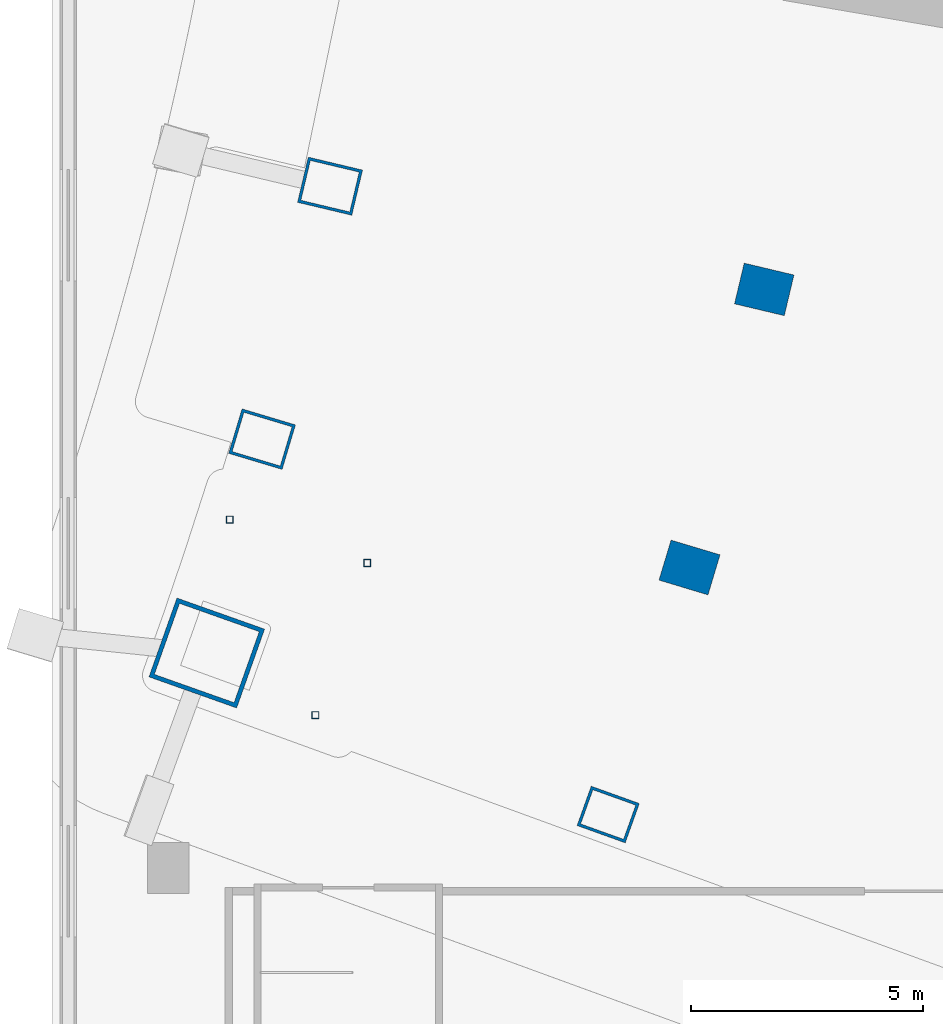
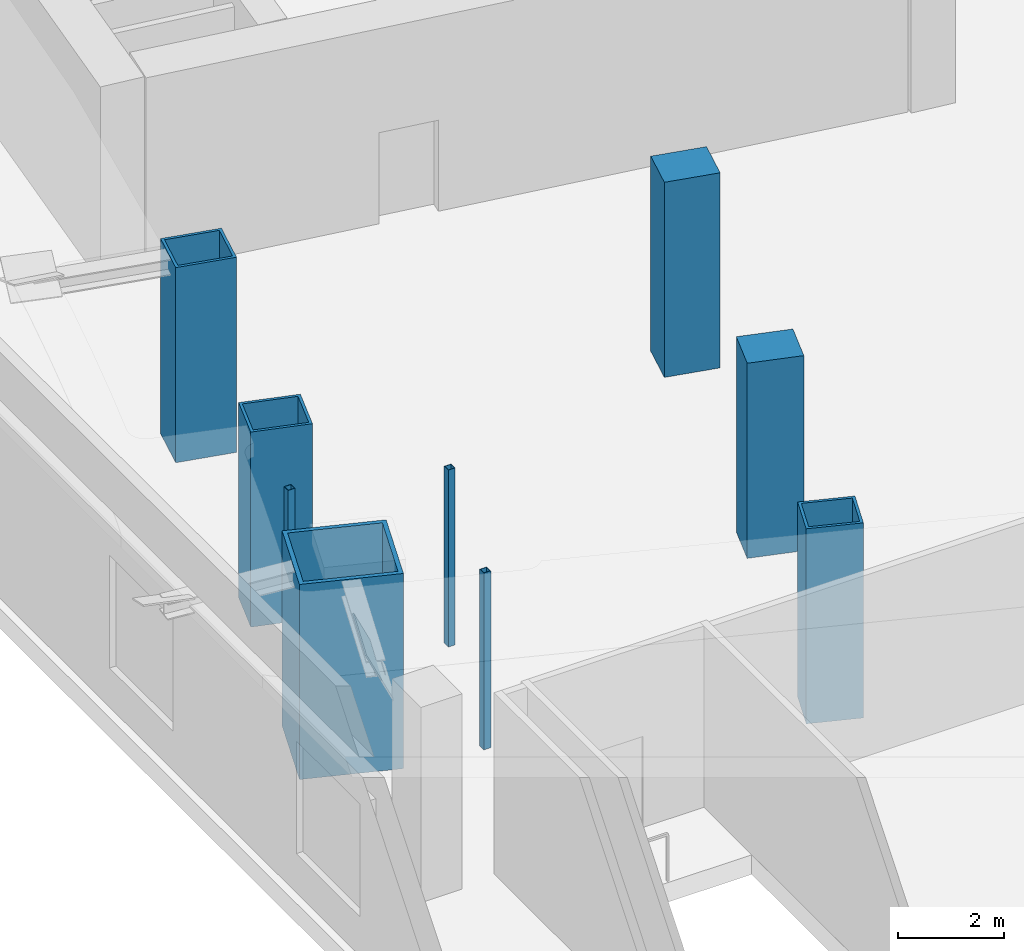
# One storey, part 2 of 19: 9 columns.
"""IFC4 building model written with IfcOpenShell, lengths in metres."""

import ifcopenshell
import ifcopenshell.guid

model = None  # the IFC model being written
_history = None  # IfcOwnerHistory: only IFC2X3 demands one
_inside = {}  # id of a spatial element -> (the spatial element, [elements in it])
_under = {}  # id of a project, library or spatial element -> (it, [spatial elements below it])
_declared = {}  # id of a project -> (the project, [libraries it declares])
_typed = {}  # id of a type object -> (the type object, [elements of that type])
_made_of = {}  # id of a material, layer set ... -> (it, [elements and type objects made of it])


def new_model(schema):
    """Start an empty IFC model of exactly this schema.

    Asked for "IFC4X3", IfcOpenShell would pick the latest addendum, in which some entities
    have other attributes; the version numbers below select the first issue.
    IFC2X3 requires an IfcOwnerHistory on every rooted entity: one is made here for all.
    """
    global model, _history
    if schema == "IFC4X3":
        model = ifcopenshell.file(schema_version=(4, 3, 0, 0))
    else:
        model = ifcopenshell.file(schema=schema)
    _inside.clear()
    _under.clear()
    _declared.clear()
    _typed.clear()
    _made_of.clear()
    _history = None
    if model.schema == "IFC2X3":
        org = make("IfcOrganization", Name="unknown")
        user = make(
            "IfcPersonAndOrganization",
            ThePerson=make("IfcPerson", FamilyName="unknown"),
            TheOrganization=org,
        )
        app = make(
            "IfcApplication",
            ApplicationDeveloper=org,
            Version="unknown",
            ApplicationFullName="unknown",
            ApplicationIdentifier="unknown",
        )
        _history = make(
            "IfcOwnerHistory",
            OwningUser=user,
            OwningApplication=app,
            ChangeAction="ADDED",
            CreationDate=0,
        )
    return model


def make(cls, **values):
    """One entity of the class cls with the attributes given. An attribute that is None is left unset."""
    return model.create_entity(
        cls, **{name: value for name, value in values.items() if value is not None}
    )


def rooted(cls, **values):
    """An entity with a GlobalId (a new one), such as an element, a storey or a relation."""
    return make(cls, GlobalId=ifcopenshell.guid.new(), OwnerHistory=_history, **values)


def si_unit(unit_type, name, prefix=None):
    """IfcSIUnit, for example si_unit("LENGTHUNIT", "METRE", prefix="MILLI")."""
    return make("IfcSIUnit", UnitType=unit_type, Prefix=prefix, Name=name)


def assignment(units):
    """IfcUnitAssignment: the units of a project."""
    return None if units is None else make("IfcUnitAssignment", Units=units)


def point(xyz):
    """IfcCartesianPoint."""
    return None if xyz is None else make("IfcCartesianPoint", Coordinates=xyz)


def direction(xyz):
    """IfcDirection."""
    return None if xyz is None else make("IfcDirection", DirectionRatios=xyz)


def frame(location, z_axis=None, x_axis=None):
    """IfcAxis2Placement3D, a coordinate frame: its origin and axes. An axis left out is left unset."""
    return make(
        "IfcAxis2Placement3D",
        Location=point(location),
        Axis=direction(z_axis),
        RefDirection=direction(x_axis),
    )


def frame_2d(location, x_axis=None):
    """IfcAxis2Placement2D, a coordinate frame in the plane: its origin and x axis."""
    return make(
        "IfcAxis2Placement2D", Location=point(location), RefDirection=direction(x_axis)
    )


def origin():
    """The frame at (0, 0, 0) with its axes left unset."""
    return frame((0.0, 0.0, 0.0))


def origin_2d():
    """The frame at (0, 0) in the plane with its x axis left unset."""
    return frame_2d((0.0, 0.0))


def place(relative_to, where):
    """IfcLocalPlacement: puts the frame where relative to a parent placement (None: the world)."""
    return make(
        "IfcLocalPlacement", PlacementRelTo=relative_to, RelativePlacement=where
    )


def context(
    kind, dimensions, precision=None, world=None, true_north=None, identifier=None
):
    """IfcGeometricRepresentationContext, for example the 3D "Model" context."""
    return make(
        "IfcGeometricRepresentationContext",
        ContextIdentifier=identifier,
        ContextType=kind,
        CoordinateSpaceDimension=dimensions,
        Precision=precision,
        WorldCoordinateSystem=world,
        TrueNorth=true_north,
    )


def subcontext(parent, identifier, kind, view, scale=None):
    """IfcGeometricRepresentationSubContext, for example "Body" below "Model"."""
    return make(
        "IfcGeometricRepresentationSubContext",
        ContextIdentifier=identifier,
        ContextType=kind,
        ParentContext=parent,
        TargetScale=scale,
        TargetView=view,
    )


def project(units=None, contexts=None):
    """IfcProject with its units and contexts."""
    return rooted(
        "IfcProject",
        Name="project",
        RepresentationContexts=contexts,
        UnitsInContext=assignment(units),
    )


def spatial(cls, under=None, at=None, **own):
    """A site, building, storey or space (cls), placed at a placement, below another one or the project."""
    s = rooted(cls, ObjectPlacement=at, **own)
    if under is not None:
        _under.setdefault(under.id(), (under, []))[1].append(s)
    return s


def profile(cls, at=None, kind="AREA", **sizes):
    """A parametric profile (cls). Its sizes go by their IFC names, for example OverallWidth=200.0."""
    return make(cls, ProfileType=kind, Position=at, **sizes)


def rectangle(**sizes):
    """IfcRectangleProfileDef."""
    return profile("IfcRectangleProfileDef", **sizes)


def hollow_rectangle(**sizes):
    """IfcRectangleHollowProfileDef."""
    return profile("IfcRectangleHollowProfileDef", **sizes)


def extrude(swept, where, along, depth):
    """IfcExtrudedAreaSolid: the profile swept, set in the frame where, extruded along a direction by depth."""
    return make(
        "IfcExtrudedAreaSolid",
        SweptArea=swept,
        Position=where,
        ExtrudedDirection=direction(along),
        Depth=depth,
    )


def shape(context_of_items, identifier, shape_type, items):
    """IfcShapeRepresentation: the items that make up one representation, for example the "Body"."""
    return make(
        "IfcShapeRepresentation",
        ContextOfItems=context_of_items,
        RepresentationIdentifier=identifier,
        RepresentationType=shape_type,
        Items=items,
    )


def material(Name=None, Category=None):
    """IfcMaterial."""
    return make("IfcMaterial", Name=Name, Category=Category)


def material_profile(
    of_material, cross_section, Name=None, Category=None, Priority=None
):
    """IfcMaterialProfile: a cross section and its material."""
    return make(
        "IfcMaterialProfile",
        Name=Name,
        Material=of_material,
        Profile=cross_section,
        Priority=Priority,
        Category=Category,
    )


def profile_set(profiles, Name=None, composite=None):
    """IfcMaterialProfileSet."""
    return make(
        "IfcMaterialProfileSet",
        Name=Name,
        MaterialProfiles=profiles,
        CompositeProfile=composite,
    )


def made_of(thing, what):
    """Note that an element or type object is made of a material, layer set ...; save() writes the relation."""
    if what is not None:
        _made_of.setdefault(what.id(), (what, []))[1].append(thing)
    return thing


def type_object(cls, material=None, **own):
    """A type object (cls), such as IfcWallType, which elements share."""
    return made_of(rooted(cls, **own), material)


def element(
    cls,
    number,
    at=None,
    inside=None,
    cuts=None,
    type_object=None,
    material=None,
    context=None,
    identifier="Body",
    shape_type=None,
    held_by="IfcProductDefinitionShape",
    body=None,
    shapes=None,
    **own,
):
    """One element of the class cls, such as IfcWall. Its Tag is "e" and its number.

    at: its placement. inside: the storey or other place that contains it. cuts: it is an
    opening in that element (IfcRelVoidsElement). A single representation is given by context,
    identifier, shape_type and body (its items); several are given by shapes. held_by: the class
    of the entity that holds the representations. save() writes the other relations.
    """
    e = rooted(cls, Tag="e%d" % number, ObjectPlacement=at, **own)
    if body is not None:
        shapes = [shape(context, identifier, shape_type, body)]
    if shapes is not None:
        e.Representation = make(held_by, Representations=shapes)
    if inside is not None:
        _inside.setdefault(inside.id(), (inside, []))[1].append(e)
    if cuts is not None:
        rooted(
            "IfcRelVoidsElement", RelatingBuildingElement=cuts, RelatedOpeningElement=e
        )
    if type_object is not None:
        _typed.setdefault(type_object.id(), (type_object, []))[1].append(e)
    return made_of(e, material)


def aggregate(whole, parts):
    """IfcRelAggregates: a whole, such as a stair, and the parts it consists of."""
    return rooted("IfcRelAggregates", RelatingObject=whole, RelatedObjects=parts)


def save(model, path):
    """Write the relations noted so far, then the file.

    IfcRelAggregates (storeys below a building ...), IfcRelContainedInSpatialStructure (elements
    in a storey), IfcRelDefinesByType, IfcRelAssociatesMaterial and IfcRelDeclares: one each for
    every whole, place, type object, material and project.
    """
    for whole, parts in _under.values():
        aggregate(whole, parts)
    for where, things in _inside.values():
        rooted(
            "IfcRelContainedInSpatialStructure",
            RelatedElements=things,
            RelatingStructure=where,
        )
    for kind, things in _typed.values():
        rooted("IfcRelDefinesByType", RelatedObjects=things, RelatingType=kind)
    for what, things in _made_of.values():
        rooted("IfcRelAssociatesMaterial", RelatedObjects=things, RelatingMaterial=what)
    for by, libraries in _declared.values():
        rooted("IfcRelDeclares", RelatingContext=by, RelatedDefinitions=libraries)
    model.write(path)


model = new_model("IFC4")

# Units and contexts
model_context = context("Model", 3, precision=1e-05, world=origin(), true_north=direction((0.0, 1.0)))
body_context = subcontext(model_context, "Body", "Model", "MODEL_VIEW")
ifc_project = project(units=[si_unit("LENGTHUNIT", "METRE"), si_unit("AREAUNIT", "SQUARE_METRE"), si_unit("VOLUMEUNIT", "CUBIC_METRE"), si_unit("PLANEANGLEUNIT", "RADIAN"), si_unit("MASSUNIT", "GRAM", prefix="KILO")], contexts=[model_context])

# Site, building, storey
site_placement = place(None, origin())
site = spatial("IfcSite", under=ifc_project, at=site_placement, CompositionType="ELEMENT")
building_placement = place(site_placement, origin())
building = spatial("IfcBuilding", under=site, at=building_placement, Name="Alderwake Tower", CompositionType="ELEMENT")
storey_placement = place(building_placement, frame((0.0, 0.0, 27.5)))
storey = spatial("IfcBuildingStorey", under=building, at=storey_placement, Name="L05", CompositionType="ELEMENT", Elevation=27.5)

# Columns
ifc_material_1 = material(Name="Steel ASTM A572 Grade 50 concrete filled C70/85", Category="concrete")
ifc_material_profile_1 = material_profile(ifc_material_1, hollow_rectangle(XDim=0.89990234375, YDim=1.10009765625, WallThickness=0.06005859375, at=origin_2d()), Name="BOX 1100X900X60")
ifc_profile_set_1 = profile_set([ifc_material_profile_1], Name="Steel ASTM A572 Grade 50 concrete filled C70/85")
column_type_1 = type_object("IfcColumnType", Name="End column Z1", PredefinedType="COLUMN", material=ifc_profile_set_1)
column_1_placement = place(storey_placement, frame((19.965576171875, 25.1484375, 0.0), z_axis=(0.0, 0.0, 1.0), x_axis=(0.337584879279, 0.9412950915, 0.0)))
element("IfcColumn", 1, at=column_1_placement, inside=storey, type_object=column_type_1, Name="Column R01-C1", PredefinedType="COLUMN", context=body_context, shape_type="SweptSolid", body=[
    extrude(hollow_rectangle(XDim=0.89990234375, YDim=1.10009765625, WallThickness=0.06005859375, at=origin_2d()), origin(), (0.0, 0.0, 1.0), 4.5),
])
ifc_material_2 = material(Name="Concrete C70/85", Category="concrete")
ifc_material_profile_2 = material_profile(ifc_material_2, rectangle(XDim=0.89990234375, YDim=1.10009765625, at=origin_2d()), Name="RC 1100X900")
ifc_profile_set_2 = profile_set([ifc_material_profile_2], Name="Concrete C70/85")
column_type_2 = type_object("IfcColumnType", Name="Interior column Z1", PredefinedType="COLUMN", material=ifc_profile_set_2)
for number, where, z_axis, x_axis, name in (
    (2, (21.714599609375, 30.46240234375, 0.0), (0.0, 0.0, 1.0), (0.287549418125, 0.957765802342, 0.0), "Column R02-C1"),
    (3, (23.322021484375, 36.444091796875, 0.0), (0.0, 0.0, 1.0), (0.231221547198, 0.972901123502, 0.0), "Column R03-C1"),
):
    element("IfcColumn", number, at=place(storey_placement, frame(where, z_axis=z_axis, x_axis=x_axis)), inside=storey, type_object=column_type_2, Name=name, PredefinedType="COLUMN", context=body_context, shape_type="SweptSolid", body=[
        extrude(rectangle(XDim=0.89990234375, YDim=1.10009765625, at=origin_2d()), origin(), (0.0, 0.0, 1.0), 4.5),
    ])
ifc_material_3 = material(Name="Steel ASTM A500 Grade C", Category="steel")
ifc_material_profile_3 = material_profile(ifc_material_3, hollow_rectangle(XDim=0.15234375, YDim=0.15234375, WallThickness=0.0087890625, at=origin_2d()), Name="HSS6X6X3/8")
ifc_profile_set_3 = profile_set([ifc_material_profile_3], Name="Steel ASTM A500 Grade C")
column_type_3 = type_object("IfcColumnType", Name="Light post HSS6X6X3/8", PredefinedType="COLUMN", material=ifc_profile_set_3)
for number, where, z_axis, x_axis, name in (
    (4, (11.82568359375, 31.492919921875, 0.0), (0.0, 0.0, 1.0), (1.0, 0.0, 0.0), "Terrace post RS1"),
    (5, (13.66796875, 27.28759765625, 0.0), (0.0, 0.0, 1.0), (1.0, 0.0, 0.0), "Terrace post RS2"),
    (6, (14.781494140625, 30.558349609375, 0.0), (0.0, 0.0, 1.0), (1.0, 0.0, 0.0), "Terrace post RS3"),
):
    element("IfcColumn", number, at=place(storey_placement, frame(where, z_axis=z_axis, x_axis=x_axis)), inside=storey, type_object=column_type_3, Name=name, PredefinedType="COLUMN", context=body_context, shape_type="SweptSolid", body=[
        extrude(hollow_rectangle(XDim=0.15234375, YDim=0.15234375, WallThickness=0.0087890625, at=origin_2d()), origin(), (0.0, 0.0, 1.0), 4.080078125),
    ])
ifc_material_4 = material(Name="Steel ASTM A572 Grade 50 concrete filled C70/85", Category="concrete")
ifc_material_profile_4 = material_profile(ifc_material_4, hollow_rectangle(XDim=1.800048828125, YDim=2.0, WallThickness=0.090087890625, at=origin_2d()), Name="BOX 2000X1800X90")
ifc_profile_set_4 = profile_set([ifc_material_profile_4], Name="Steel ASTM A572 Grade 50 concrete filled C70/85")
column_type_4 = type_object("IfcColumnType", Name="Mega column Z1", PredefinedType="COLUMN", material=ifc_profile_set_4)
column_2_placement = place(storey_placement, frame((11.330810546875, 28.622802734375, 0.0), z_axis=(0.0, 0.0, 1.0), x_axis=(0.334130947791, 0.942526662609, 0.0)))
element("IfcColumn", 7, at=column_2_placement, inside=storey, type_object=column_type_4, Name="Column R01-C0", PredefinedType="COLUMN", context=body_context, shape_type="SweptSolid", body=[
    extrude(hollow_rectangle(XDim=1.800048828125, YDim=2.0, WallThickness=0.090087890625, at=origin_2d()), origin(), (0.0, 0.0, 1.0), 4.5),
])
ifc_material_5 = material(Name="Steel ASTM A572 Grade 50 concrete filled C70/85", Category="concrete")
ifc_material_profile_5 = material_profile(ifc_material_5, hollow_rectangle(XDim=1.0, YDim=1.199951171875, WallThickness=0.06005859375, at=origin_2d()), Name="BOX 1200X1000X60")
ifc_profile_set_5 = profile_set([ifc_material_profile_5], Name="Steel ASTM A572 Grade 50 concrete filled C70/85")
column_type_5 = type_object("IfcColumnType", Name="Perimeter column Z1", PredefinedType="COLUMN", material=ifc_profile_set_5)
for number, where, z_axis, x_axis, name in (
    (8, (12.520263671875, 33.222900390625, 0.0), (0.0, 0.0, 1.0), (0.287549418125, 0.957765802342, 0.0), "Column R02-C0"),
    (9, (13.982177734375, 38.6640625, 0.0), (0.0, 0.0, 1.0), (0.231221547198, 0.972901123502, 0.0), "Column R03-C0"),
):
    element("IfcColumn", number, at=place(storey_placement, frame(where, z_axis=z_axis, x_axis=x_axis)), inside=storey, type_object=column_type_5, Name=name, PredefinedType="COLUMN", context=body_context, shape_type="SweptSolid", body=[
        extrude(hollow_rectangle(XDim=1.0, YDim=1.199951171875, WallThickness=0.06005859375, at=origin_2d()), origin(), (0.0, 0.0, 1.0), 4.5),
    ])

save(model, "model.ifc")
